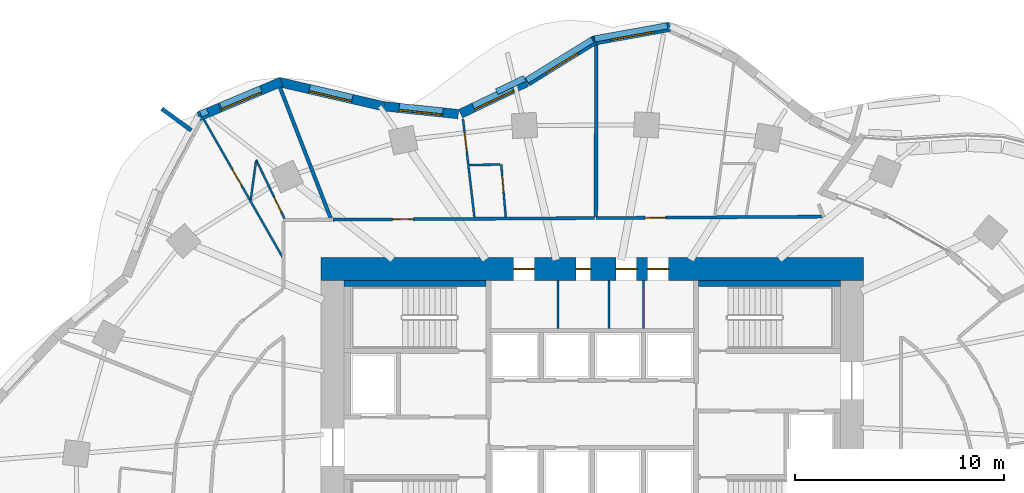
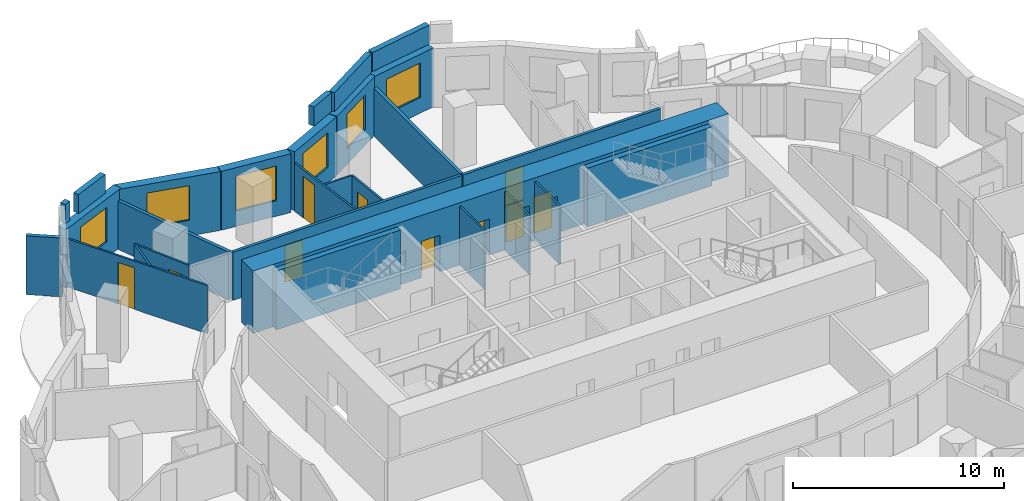
# One storey, part 10 of 14: 28 walls, 10 doors, 6 windows, 16 openings.
"""IFC4 building model written with IfcOpenShell, lengths in metres."""

from ifc_helpers import new_model, si_unit, direction, frame, frame_2d, origin, place, context, subcontext, project, spatial, rectangle, extrude, material, layer, layer_set, type_object, element, fill, save


model = new_model("IFC4")

# Units and contexts
model_context = context("Model", 3, precision=1e-05, world=origin(), true_north=direction((0.0, 1.0)))
body_context = subcontext(model_context, "Body", "Model", "MODEL_VIEW")
ifc_project = project(units=[si_unit("LENGTHUNIT", "METRE"), si_unit("AREAUNIT", "SQUARE_METRE"), si_unit("VOLUMEUNIT", "CUBIC_METRE"), si_unit("PLANEANGLEUNIT", "RADIAN"), si_unit("MASSUNIT", "GRAM", prefix="KILO")], contexts=[model_context])

# Site, building, storey
site_placement = place(None, origin())
site = spatial("IfcSite", under=ifc_project, at=site_placement, CompositionType="ELEMENT")
building_placement = place(site_placement, origin())
building = spatial("IfcBuilding", under=site, at=building_placement, Name="Rubra Terraces Tower", CompositionType="ELEMENT")
storey_placement = place(building_placement, frame((0.0, 0.0, 103.199951171875)))
storey = spatial("IfcBuildingStorey", under=building, at=storey_placement, Name="L24", CompositionType="ELEMENT", Elevation=103.199951171875)

# Walls
ifc_material_1 = material(Name="Twin plasterboard on staggered steel stud, acoustic mineral wool", Category="steel")
ifc_layer_1 = layer(ifc_material_1, 0.175048828125)
ifc_layer_set_1 = layer_set([ifc_layer_1], Name="Twin plasterboard on staggered steel stud, acoustic mineral wool")
wall_type_1 = type_object("IfcWallType", Name="ACOUSTIC PARTY WALL 175", PredefinedType="PARTITIONING", material=ifc_layer_set_1)
wall_1_placement = place(storey_placement, frame((-14.975830078125, 20.15283203125, 0.0), z_axis=(0.0, 0.0, 1.0), x_axis=(0.361736544099, -0.932280361621, 0.0)))
element("IfcWall", 1, at=wall_1_placement, inside=storey, type_object=wall_type_1, Name="PARTITION", PredefinedType="PARTITIONING", context=body_context, shape_type="SweptSolid", body=[
    extrude(rectangle(XDim=6.72412109375, YDim=0.175048828125, at=frame_2d((3.362060546875, 0.0))), origin(), (0.0, 0.0, 1.0), 2.783935546875),
])
wall_2_placement = place(storey_placement, frame((0.189208984375, 22.189697265625, 0.0), z_axis=(0.0, 0.0, 1.0), x_axis=(-0.00195984895, -0.999998079494, 0.0)))
element("IfcWall", 2, at=wall_2_placement, inside=storey, type_object=wall_type_1, Name="PARTITION", PredefinedType="PARTITIONING", context=body_context, shape_type="SweptSolid", body=[
    extrude(rectangle(XDim=8.2216796875, YDim=0.175048828125, at=frame_2d((4.11083984375, 0.0))), origin(), (0.0, 0.0, 1.0), 2.783935546875),
])

# Wall, opening, window
ifc_material_2 = material(Name="Brick masonry red-brown", Category="masonry")
ifc_layer_2 = layer(ifc_material_2, 0.449951171875)
ifc_layer_set_2 = layer_set([ifc_layer_2], Name="Brick masonry red-brown")
wall_type_2 = type_object("IfcWallType", Name="Brick facade wall 450", PredefinedType="SOLIDWALL", material=ifc_layer_set_2)
wall_3_placement = place(storey_placement, frame((3.726806640625, 23.060546875, 0.0), z_axis=(0.0, 0.0, 1.0), x_axis=(-0.984119180424, -0.177508982087, 0.0)))
wall_3 = element("IfcWall", 3, at=wall_3_placement, inside=storey, type_object=wall_type_2, Name="Facade wall L24 bay 10", PredefinedType="SOLIDWALL", context=body_context, shape_type="SweptSolid", body=[
    extrude(rectangle(XDim=3.74658203125, YDim=0.449951171875, at=frame_2d((1.873291015625, 0.0))), origin(), (0.0, 0.0, 1.0), 3.400146484375),
])
opening_1_placement = place(wall_3_placement, frame((0.8232421875, 0.0, 0.89990234375)))
opening_1 = element("IfcOpeningElement", 4, at=opening_1_placement, cuts=wall_3, Name="Opening W1", PredefinedType="OPENING", context=body_context, shape_type="SweptSolid", body=[
    extrude(rectangle(XDim=2.10009765625, YDim=2.0, at=frame_2d((1.050048828125, 1.0))), frame((0.0, 0.23486328125, 0.0), z_axis=(0.0, -1.0, 0.0), x_axis=(1.0, 0.0, 0.0)), (0.0, 0.0, 1.0), 0.469970703125),
])
ifc_material_3 = material(Name="Clear glass in aluminium frame", Category="aluminium")
window_type_1 = type_object("IfcWindowType", Name="Fixed deep-set window 2100 x 2000", PartitioningType="SINGLE_PANEL", PredefinedType="WINDOW", material=ifc_material_3)
window_1_placement = place(opening_1_placement, origin())
window_1 = element("IfcWindow", 5, at=window_1_placement, inside=storey, type_object=window_type_1, Name="Window L24 bay 10", OverallHeight=2.0, OverallWidth=2.10009765625, PartitioningType="SINGLE_PANEL", PredefinedType="WINDOW", context=body_context, shape_type="SweptSolid", body=[
    extrude(rectangle(XDim=2.10009765625, YDim=2.0, at=frame_2d((1.050048828125, 1.0))), frame((0.0, 0.135009765625, 0.0), z_axis=(0.0, -1.0, 0.0), x_axis=(1.0, 0.0, 0.0)), (0.0, 0.0, 1.0), 0.06005859375),
])
fill(opening_1, window_1)

wall_4_placement = place(storey_placement, frame((0.114990234375, 22.423583984375, 0.0), z_axis=(0.0, 0.0, 1.0), x_axis=(-0.8506970368, -0.525656305564, 0.0)))
wall_4 = element("IfcWall", 6, at=wall_4_placement, inside=storey, type_object=wall_type_2, Name="Facade wall L24 bay 11", PredefinedType="SOLIDWALL", context=body_context, shape_type="SweptSolid", body=[
    extrude(rectangle(XDim=3.81640625, YDim=0.449951171875, at=frame_2d((1.908203125, 0.0))), origin(), (0.0, 0.0, 1.0), 3.400146484375),
])
opening_2_placement = place(wall_4_placement, frame((1.00830078125, 0.0, 0.89990234375)))
opening_2 = element("IfcOpeningElement", 7, at=opening_2_placement, cuts=wall_4, Name="Opening W6", PredefinedType="OPENING", context=body_context, shape_type="SweptSolid", body=[
    extrude(rectangle(XDim=1.800048828125, YDim=2.0, at=frame_2d((0.89990234375, 1.0))), frame((0.0, 0.23486328125, 0.0), z_axis=(0.0, -1.0, 0.0), x_axis=(1.0, 0.0, 0.0)), (0.0, 0.0, 1.0), 0.469970703125),
])
window_type_2 = type_object("IfcWindowType", Name="Fixed deep-set window at wind fin 1800 x 2000", PartitioningType="SINGLE_PANEL", PredefinedType="WINDOW", material=ifc_material_3)
window_2_placement = place(opening_2_placement, origin())
window_2 = element("IfcWindow", 8, at=window_2_placement, inside=storey, type_object=window_type_2, Name="Window L24 bay 11", OverallHeight=2.0, OverallWidth=1.800048828125, PartitioningType="SINGLE_PANEL", PredefinedType="WINDOW", context=body_context, shape_type="SweptSolid", body=[
    extrude(rectangle(XDim=1.800048828125, YDim=2.0, at=frame_2d((0.89990234375, 1.0))), frame((0.0, 0.135009765625, 0.0), z_axis=(0.0, -1.0, 0.0), x_axis=(1.0, 0.0, 0.0)), (0.0, 0.0, 1.0), 0.06005859375),
])
fill(opening_2, window_2)

wall_5_placement = place(storey_placement, frame((-3.153564453125, 20.406005859375, 0.0), z_axis=(0.0, 0.0, 1.0), x_axis=(-0.902333313, -0.431038968367, 0.0)))
wall_5 = element("IfcWall", 9, at=wall_5_placement, inside=storey, type_object=wall_type_2, Name="Facade wall L24 bay 12", PredefinedType="SOLIDWALL", context=body_context, shape_type="SweptSolid", body=[
    extrude(rectangle(XDim=3.50537109375, YDim=0.449951171875, at=frame_2d((1.752685546875, 0.0))), origin(), (0.0, 0.0, 1.0), 3.400146484375),
])
opening_3_placement = place(wall_5_placement, frame((0.702880859375, 0.0, 0.89990234375)))
opening_3 = element("IfcOpeningElement", 10, at=opening_3_placement, cuts=wall_5, Name="Opening W1", PredefinedType="OPENING", context=body_context, shape_type="SweptSolid", body=[
    extrude(rectangle(XDim=2.10009765625, YDim=2.0, at=frame_2d((1.050048828125, 1.0))), frame((0.0, 0.23486328125, 0.0), z_axis=(0.0, -1.0, 0.0), x_axis=(1.0, 0.0, 0.0)), (0.0, 0.0, 1.0), 0.469970703125),
])
window_3_placement = place(opening_3_placement, origin())
window_3 = element("IfcWindow", 11, at=window_3_placement, inside=storey, type_object=window_type_1, Name="Window L24 bay 12", OverallHeight=2.0, OverallWidth=2.10009765625, PartitioningType="SINGLE_PANEL", PredefinedType="WINDOW", context=body_context, shape_type="SweptSolid", body=[
    extrude(rectangle(XDim=2.10009765625, YDim=2.0, at=frame_2d((1.050048828125, 1.0))), frame((0.0, 0.135009765625, 0.0), z_axis=(0.0, -1.0, 0.0), x_axis=(1.0, 0.0, 0.0)), (0.0, 0.0, 1.0), 0.06005859375),
])
fill(opening_3, window_3)

wall_6_placement = place(storey_placement, frame((-6.4267578125, 18.875244140625, 0.0), z_axis=(0.0, 0.0, 1.0), x_axis=(-0.994433468803, 0.10536638992, 0.0)))
wall_6 = element("IfcWall", 12, at=wall_6_placement, inside=storey, type_object=wall_type_2, Name="Facade wall L24 bay 13", PredefinedType="SOLIDWALL", context=body_context, shape_type="SweptSolid", body=[
    extrude(rectangle(XDim=3.598388671875, YDim=0.449951171875, at=frame_2d((1.79931640625, 0.0))), origin(), (0.0, 0.0, 1.0), 3.400146484375),
])
opening_4_placement = place(wall_6_placement, frame((0.749267578125, 0.0, 0.89990234375)))
opening_4 = element("IfcOpeningElement", 13, at=opening_4_placement, cuts=wall_6, Name="Opening W1", PredefinedType="OPENING", context=body_context, shape_type="SweptSolid", body=[
    extrude(rectangle(XDim=2.10009765625, YDim=2.0, at=frame_2d((1.050048828125, 1.0))), frame((0.0, 0.23486328125, 0.0), z_axis=(0.0, -1.0, 0.0), x_axis=(1.0, 0.0, 0.0)), (0.0, 0.0, 1.0), 0.469970703125),
])
window_4_placement = place(opening_4_placement, origin())
window_4 = element("IfcWindow", 14, at=window_4_placement, inside=storey, type_object=window_type_1, Name="Window L24 bay 13", OverallHeight=2.0, OverallWidth=2.10009765625, PartitioningType="SINGLE_PANEL", PredefinedType="WINDOW", context=body_context, shape_type="SweptSolid", body=[
    extrude(rectangle(XDim=2.10009765625, YDim=2.0, at=frame_2d((1.050048828125, 1.0))), frame((0.0, 0.135009765625, 0.0), z_axis=(0.0, -1.0, 0.0), x_axis=(1.0, 0.0, 0.0)), (0.0, 0.0, 1.0), 0.06005859375),
])
fill(opening_4, window_4)

wall_7_placement = place(storey_placement, frame((-10.0341796875, 19.258544921875, 0.0), z_axis=(0.0, 0.0, 1.0), x_axis=(-0.974223567844, 0.225584662283, 0.0)))
wall_7 = element("IfcWall", 15, at=wall_7_placement, inside=storey, type_object=wall_type_2, Name="Facade wall L24 bay 14", PredefinedType="SOLIDWALL", context=body_context, shape_type="SweptSolid", body=[
    extrude(rectangle(XDim=5.138671875, YDim=0.449951171875, at=frame_2d((2.5693359375, 0.0))), origin(), (0.0, 0.0, 1.0), 3.400146484375),
])
opening_5_placement = place(wall_7_placement, frame((1.51904296875, 0.0, 0.89990234375)))
opening_5 = element("IfcOpeningElement", 16, at=opening_5_placement, cuts=wall_7, Name="Opening W1", PredefinedType="OPENING", context=body_context, shape_type="SweptSolid", body=[
    extrude(rectangle(XDim=2.10009765625, YDim=2.0, at=frame_2d((1.050048828125, 1.0))), frame((0.0, 0.23486328125, 0.0), z_axis=(0.0, -1.0, 0.0), x_axis=(1.0, 0.0, 0.0)), (0.0, 0.0, 1.0), 0.469970703125),
])
window_5_placement = place(opening_5_placement, origin())
window_5 = element("IfcWindow", 17, at=window_5_placement, inside=storey, type_object=window_type_1, Name="Window L24 bay 14", OverallHeight=2.0, OverallWidth=2.10009765625, PartitioningType="SINGLE_PANEL", PredefinedType="WINDOW", context=body_context, shape_type="SweptSolid", body=[
    extrude(rectangle(XDim=2.10009765625, YDim=2.0, at=frame_2d((1.050048828125, 1.0))), frame((0.0, 0.135009765625, 0.0), z_axis=(0.0, -1.0, 0.0), x_axis=(1.0, 0.0, 0.0)), (0.0, 0.0, 1.0), 0.06005859375),
])
fill(opening_5, window_5)

wall_8_placement = place(storey_placement, frame((-14.906494140625, 20.4306640625, 0.0), z_axis=(0.0, 0.0, 1.0), x_axis=(-0.921435803521, -0.388530642279, 0.0)))
wall_8 = element("IfcWall", 18, at=wall_8_placement, inside=storey, type_object=wall_type_2, Name="Facade wall L24 bay 15", PredefinedType="SOLIDWALL", context=body_context, shape_type="SweptSolid", body=[
    extrude(rectangle(XDim=4.308837890625, YDim=0.449951171875, at=frame_2d((2.154296875, 0.0))), origin(), (0.0, 0.0, 1.0), 3.400146484375),
])
opening_6_placement = place(wall_8_placement, frame((1.104248046875, 0.0, 0.89990234375)))
opening_6 = element("IfcOpeningElement", 19, at=opening_6_placement, cuts=wall_8, Name="Opening W1", PredefinedType="OPENING", context=body_context, shape_type="SweptSolid", body=[
    extrude(rectangle(XDim=2.10009765625, YDim=2.0, at=frame_2d((1.050048828125, 1.0))), frame((0.0, 0.23486328125, 0.0), z_axis=(0.0, -1.0, 0.0), x_axis=(1.0, 0.0, 0.0)), (0.0, 0.0, 1.0), 0.469970703125),
])
window_6_placement = place(opening_6_placement, origin())
window_6 = element("IfcWindow", 20, at=window_6_placement, inside=storey, type_object=window_type_1, Name="Window L24 bay 15", OverallHeight=2.0, OverallWidth=2.10009765625, PartitioningType="SINGLE_PANEL", PredefinedType="WINDOW", context=body_context, shape_type="SweptSolid", body=[
    extrude(rectangle(XDim=2.10009765625, YDim=2.0, at=frame_2d((1.050048828125, 1.0))), frame((0.0, 0.135009765625, 0.0), z_axis=(0.0, -1.0, 0.0), x_axis=(1.0, 0.0, 0.0)), (0.0, 0.0, 1.0), 0.06005859375),
])
fill(opening_6, window_6)

# Walls
ifc_layer_3 = layer(ifc_material_2, 0.300048828125)
ifc_layer_set_3 = layer_set([ifc_layer_3], Name="Brick masonry red-brown")
wall_type_3 = type_object("IfcWallType", Name="Brick parapet 300", PredefinedType="PARAPET", material=ifc_layer_set_3)
wall_9_placement = place(storey_placement, frame((3.58984375, 23.112060546875, 3.60009765625), z_axis=(0.0, 0.0, 1.0), x_axis=(-0.984124248147, -0.177480884064, 0.0)))
element("IfcWall", 21, at=wall_9_placement, inside=storey, type_object=wall_type_3, Name="Parapet L24 bay 10", PredefinedType="PARAPET", context=body_context, shape_type="SweptSolid", body=[
    extrude(rectangle(XDim=3.533935546875, YDim=0.300048828125, at=frame_2d((1.76708984375, 0.0))), origin(), (0.0, 0.0, 1.0), 1.099853515625),
])
wall_10_placement = place(storey_placement, frame((0.0048828125, 22.443603515625, 3.60009765625), z_axis=(0.0, 0.0, 1.0), x_axis=(-0.850710394144, -0.525634688063, 0.0)))
element("IfcWall", 22, at=wall_10_placement, inside=storey, type_object=wall_type_3, Name="Parapet L24 bay 11", PredefinedType="PARAPET", context=body_context, shape_type="SweptSolid", body=[
    extrude(rectangle(XDim=3.701904296875, YDim=0.300048828125, at=frame_2d((1.85107421875, 0.0))), origin(), (0.0, 0.0, 1.0), 1.099853515625),
])
wall_11_placement = place(storey_placement, frame((-3.2392578125, 20.594482421875, 3.60009765625), z_axis=(0.0, 0.0, 1.0), x_axis=(-0.902344893923, -0.431014724123, 0.0)))
element("IfcWall", 23, at=wall_11_placement, inside=storey, type_object=wall_type_3, Name="Parapet L24 bay 12", PredefinedType="PARAPET", context=body_context, shape_type="SweptSolid", body=[
    extrude(rectangle(XDim=1.48974609375, YDim=0.300048828125, at=frame_2d((0.744873046875, 0.0))), origin(), (0.0, 0.0, 1.0), 1.099853515625),
])
wall_12_placement = place(storey_placement, frame((-15.890869140625, 20.096923828125, 3.60009765625), z_axis=(0.0, 0.0, 1.0), x_axis=(-0.921468908678, -0.388452121038, 0.0)))
element("IfcWall", 24, at=wall_12_placement, inside=storey, type_object=wall_type_3, Name="Parapet L24 bay 15", PredefinedType="PARAPET", context=body_context, shape_type="SweptSolid", body=[
    extrude(rectangle(XDim=2.09912109375, YDim=0.300048828125, at=frame_2d((1.049560546875, 0.0))), origin(), (0.0, 0.0, 1.0), 1.099853515625),
])
wall_13_placement = place(storey_placement, frame((-18.4462890625, 19.01953125, 3.60009765625), z_axis=(0.0, 0.0, 1.0), x_axis=(-0.921356634102, -0.388718346358, 0.0)))
element("IfcWall", 25, at=wall_13_placement, inside=storey, type_object=wall_type_3, Name="Parapet L24 bay 15.2", PredefinedType="PARAPET", context=body_context, shape_type="SweptSolid", body=[
    extrude(rectangle(XDim=0.363037109375, YDim=0.300048828125, at=frame_2d((0.181640625, 0.0))), origin(), (0.0, 0.0, 1.0), 1.099853515625),
])
ifc_layer_4 = layer(ifc_material_2, 0.199951171875)
ifc_layer_set_4 = layer_set([ifc_layer_4], Name="Brick masonry red-brown")
wall_type_4 = type_object("IfcWallType", Name="Brick wind fin 200", PredefinedType="SOLIDWALL", material=ifc_layer_set_4)
wall_14_placement = place(storey_placement, frame((-19.23095703125, 18.09912109375, 0.0), z_axis=(0.0, 0.0, 1.0), x_axis=(-0.806085538754, 0.591799040394, 0.0)))
element("IfcWall", 26, at=wall_14_placement, inside=storey, type_object=wall_type_4, Name="Wind fin L24 5", PredefinedType="SOLIDWALL", context=body_context, shape_type="SweptSolid", body=[
    extrude(rectangle(XDim=1.75, YDim=0.199951171875, at=frame_2d((0.875, 0.0))), origin(), (0.0, 0.0, 1.0), 3.400146484375),
])

# Wall, openings, doors
ifc_material_4 = material(Name="Concrete C60", Category="concrete")
ifc_layer_5 = layer(ifc_material_4, 1.10009765625)
ifc_layer_set_5 = layer_set([ifc_layer_5], Name="Concrete C60")
wall_type_5 = type_object("IfcWallType", Name="CORE WALL 1100 C60", PredefinedType="SHEAR", material=ifc_layer_set_5)
wall_15_placement = place(storey_placement, frame((-13.0, 11.449951171875, 0.0), z_axis=(0.0, 0.0, 1.0), x_axis=(1.0, 0.0, 0.0)))
wall_15 = element("IfcWall", 27, at=wall_15_placement, inside=storey, type_object=wall_type_5, Name="CORE WALL N L24", PredefinedType="SHEAR", context=body_context, shape_type="SweptSolid", body=[
    extrude(rectangle(XDim=26.0, YDim=1.10009765625, at=frame_2d((13.0, 0.0))), origin(), (0.0, 0.0, 1.0), 3.60009765625),
])
opening_7_placement = place(wall_15_placement, frame((9.22509765625, 0.0, 0.0)))
opening_7 = element("IfcOpeningElement", 28, at=opening_7_placement, cuts=wall_15, Name="Opening L24.C23", PredefinedType="OPENING", context=body_context, shape_type="SweptSolid", body=[
    extrude(rectangle(XDim=1.0, YDim=2.10009765625, at=frame_2d((0.5, 1.050048828125))), frame((0.0, 0.56005859375, 0.0), z_axis=(0.0, -1.0, 0.0), x_axis=(1.0, 0.0, 0.0)), (0.0, 0.0, 1.0), 1.1201171875),
])
opening_8_placement = place(wall_15_placement, frame((12.22509765625, 0.0, 0.0)))
opening_8 = element("IfcOpeningElement", 29, at=opening_8_placement, cuts=wall_15, Name="Opening L24.C24", PredefinedType="OPENING", context=body_context, shape_type="SweptSolid", body=[
    extrude(rectangle(XDim=0.699951171875, YDim=2.10009765625, at=frame_2d((0.35009765625, 1.050048828125))), frame((0.0, 0.56005859375, 0.0), z_axis=(0.0, -1.0, 0.0), x_axis=(1.0, 0.0, 0.0)), (0.0, 0.0, 1.0), 1.1201171875),
])
opening_9_placement = place(wall_15_placement, frame((14.125, 0.0, 0.0)))
opening_9 = element("IfcOpeningElement", 30, at=opening_9_placement, cuts=wall_15, Name="Opening L24.C25", PredefinedType="OPENING", context=body_context, shape_type="SweptSolid", body=[
    extrude(rectangle(XDim=1.0, YDim=2.10009765625, at=frame_2d((0.5, 1.050048828125))), frame((0.0, 0.56005859375, 0.0), z_axis=(0.0, -1.0, 0.0), x_axis=(1.0, 0.0, 0.0)), (0.0, 0.0, 1.0), 1.1201171875),
])
opening_10_placement = place(wall_15_placement, frame((15.64990234375, 0.0, 0.0)))
opening_10 = element("IfcOpeningElement", 31, at=opening_10_placement, cuts=wall_15, Name="Opening L24.C26", PredefinedType="OPENING", context=body_context, shape_type="SweptSolid", body=[
    extrude(rectangle(XDim=1.0, YDim=2.10009765625, at=frame_2d((0.5, 1.050048828125))), frame((0.0, 0.56005859375, 0.0), z_axis=(0.0, -1.0, 0.0), x_axis=(1.0, 0.0, 0.0)), (0.0, 0.0, 1.0), 1.1201171875),
])
ifc_material_5 = material(Name="Painted steel", Category="steel")
door_type_1 = type_object("IfcDoorType", Name="Fire door 1000x2100 single", OperationType="NOTDEFINED", PredefinedType="DOOR", material=ifc_material_5)
door_1_placement = place(opening_7_placement, origin())
door_1 = element("IfcDoor", 32, at=door_1_placement, inside=storey, type_object=door_type_1, Name="Ice and vending room door", OperationType="SINGLE_SWING_LEFT", OverallHeight=2.10009765625, OverallWidth=1.0, PredefinedType="DOOR", context=body_context, shape_type="SweptSolid", body=[
    extrude(rectangle(XDim=1.0, YDim=2.10009765625, at=frame_2d((0.5, 1.050048828125))), frame((0.0, 0.02490234375, 0.0), z_axis=(0.0, -1.0, 0.0), x_axis=(1.0, 0.0, 0.0)), (0.0, 0.0, 1.0), 0.050048828125),
])
fill(opening_7, door_1)
door_2_placement = place(opening_9_placement, origin())
door_2 = element("IfcDoor", 33, at=door_2_placement, inside=storey, type_object=door_type_1, Name="Accessible WC door", OperationType="SINGLE_SWING_LEFT", OverallHeight=2.10009765625, OverallWidth=1.0, PredefinedType="DOOR", context=body_context, shape_type="SweptSolid", body=[
    extrude(rectangle(XDim=1.0, YDim=2.10009765625, at=frame_2d((0.5, 1.050048828125))), frame((0.0, 0.02490234375, 0.0), z_axis=(0.0, -1.0, 0.0), x_axis=(1.0, 0.0, 0.0)), (0.0, 0.0, 1.0), 0.050048828125),
])
fill(opening_9, door_2)
door_3_placement = place(opening_10_placement, origin())
door_3 = element("IfcDoor", 34, at=door_3_placement, inside=storey, type_object=door_type_1, Name="Refuse room door", OperationType="SINGLE_SWING_RIGHT", OverallHeight=2.10009765625, OverallWidth=1.0, PredefinedType="DOOR", context=body_context, shape_type="SweptSolid", body=[
    extrude(rectangle(XDim=1.0, YDim=2.10009765625, at=frame_2d((0.5, 1.050048828125))), frame((0.0, 0.02490234375, 0.0), z_axis=(0.0, -1.0, 0.0), x_axis=(1.0, 0.0, 0.0)), (0.0, 0.0, 1.0), 0.050048828125),
])
fill(opening_10, door_3)
door_type_2 = type_object("IfcDoorType", Name="Riser access door 700x2100 single", OperationType="NOTDEFINED", PredefinedType="DOOR", material=ifc_material_5)
door_4_placement = place(opening_8_placement, origin())
door_4 = element("IfcDoor", 35, at=door_4_placement, inside=storey, type_object=door_type_2, Name="Telecoms room door", OperationType="SINGLE_SWING_RIGHT", OverallHeight=2.10009765625, OverallWidth=0.699951171875, PredefinedType="DOOR", context=body_context, shape_type="SweptSolid", body=[
    extrude(rectangle(XDim=0.699951171875, YDim=2.10009765625, at=frame_2d((0.35009765625, 1.050048828125))), frame((0.0, 0.02490234375, 0.0), z_axis=(0.0, -1.0, 0.0), x_axis=(1.0, 0.0, 0.0)), (0.0, 0.0, 1.0), 0.050048828125),
])
fill(opening_8, door_4)

# Wall, opening, door
ifc_material_6 = material(Name="Plasterboard on steel stud, mineral wool infill", Category="steel")
ifc_layer_6 = layer(ifc_material_6, 0.14990234375)
ifc_layer_set_6 = layer_set([ifc_layer_6], Name="Plasterboard on steel stud, mineral wool infill")
wall_type_6 = type_object("IfcWallType", Name="CORRIDOR PARTITION 150", PredefinedType="PARTITIONING", material=ifc_layer_set_6)
wall_16_placement = place(storey_placement, frame((11.0087890625, 13.96044921875, 0.0), z_axis=(0.0, 0.0, 1.0), x_axis=(-0.999980665956, -0.006218336874, 0.0)))
wall_16 = element("IfcWall", 36, at=wall_16_placement, inside=storey, type_object=wall_type_6, Name="PARTITION", PredefinedType="PARTITIONING", context=body_context, shape_type="SweptSolid", body=[
    extrude(rectangle(XDim=10.836181640625, YDim=0.14990234375, at=frame_2d((5.41796875, 0.0))), origin(), (0.0, 0.0, 1.0), 2.783935546875),
])
opening_11_placement = place(wall_16_placement, frame((7.490966796875, 0.0, 0.0)))
opening_11 = element("IfcOpeningElement", 37, at=opening_11_placement, cuts=wall_16, Name="Opening 24-126", PredefinedType="OPENING", context=body_context, shape_type="SweptSolid", body=[
    extrude(rectangle(XDim=1.0, YDim=2.10009765625, at=frame_2d((0.5, 1.050048828125))), frame((0.0, 0.0849609375, 0.0), z_axis=(0.0, -1.0, 0.0), x_axis=(1.0, 0.0, 0.0)), (0.0, 0.0, 1.0), 0.169921875),
])
ifc_material_7 = material(Name="Painted timber door leaf", Category="wood")
door_type_3 = type_object("IfcDoorType", Name="ROOM DOOR 1000 X 2100", OperationType="SINGLE_SWING_LEFT", PredefinedType="DOOR", material=ifc_material_7)
door_5_placement = place(opening_11_placement, origin())
door_5 = element("IfcDoor", 38, at=door_5_placement, inside=storey, type_object=door_type_3, Name="DOOR 24-126", OperationType="SINGLE_SWING_RIGHT", OverallHeight=2.10009765625, OverallWidth=1.0, PredefinedType="DOOR", context=body_context, shape_type="SweptSolid", body=[
    extrude(rectangle(XDim=1.0, YDim=2.10009765625, at=frame_2d((0.5, 1.050048828125))), frame((0.0, 0.02490234375, 0.0), z_axis=(0.0, -1.0, 0.0), x_axis=(1.0, 0.0, 0.0)), (0.0, 0.0, 1.0), 0.050048828125),
])
fill(opening_11, door_5)

wall_17_placement = place(storey_placement, frame((0.097900390625, 13.892578125, 0.0), z_axis=(0.0, 0.0, 1.0), x_axis=(-0.999980712681, -0.006210818468, 0.0)))
wall_17 = element("IfcWall", 39, at=wall_17_placement, inside=storey, type_object=wall_type_6, Name="PARTITION", PredefinedType="PARTITIONING", context=body_context, shape_type="SweptSolid", body=[
    extrude(rectangle(XDim=12.53955078125, YDim=0.14990234375, at=frame_2d((6.269775390625, 0.0))), origin(), (0.0, 0.0, 1.0), 2.783935546875),
])
opening_12_placement = place(wall_17_placement, frame((8.677978515625, 0.0, 0.0)))
opening_12 = element("IfcOpeningElement", 40, at=opening_12_placement, cuts=wall_17, Name="Opening 24-129", PredefinedType="OPENING", context=body_context, shape_type="SweptSolid", body=[
    extrude(rectangle(XDim=1.0, YDim=2.10009765625, at=frame_2d((0.5, 1.050048828125))), frame((0.0, 0.0849609375, 0.0), z_axis=(0.0, -1.0, 0.0), x_axis=(1.0, 0.0, 0.0)), (0.0, 0.0, 1.0), 0.169921875),
])
door_6_placement = place(opening_12_placement, origin())
door_6 = element("IfcDoor", 41, at=door_6_placement, inside=storey, type_object=door_type_3, Name="DOOR 24-129", OperationType="SINGLE_SWING_RIGHT", OverallHeight=2.10009765625, OverallWidth=1.0, PredefinedType="DOOR", context=body_context, shape_type="SweptSolid", body=[
    extrude(rectangle(XDim=1.0, YDim=2.10009765625, at=frame_2d((0.5, 1.050048828125))), frame((0.0, 0.02490234375, 0.0), z_axis=(0.0, -1.0, 0.0), x_axis=(1.0, 0.0, 0.0)), (0.0, 0.0, 1.0), 0.050048828125),
])
fill(opening_12, door_6)

# Walls
ifc_material_8 = material(Name="Concrete C40", Category="concrete")
ifc_layer_7 = layer(ifc_material_8, 0.300048828125)
ifc_layer_set_7 = layer_set([ifc_layer_7], Name="Concrete C40")
wall_type_7 = type_object("IfcWallType", Name="Core lining wall 300 concrete", PredefinedType="SOLIDWALL", material=ifc_layer_set_7)
for number, where, z_axis, x_axis, name in (
    (42, (-11.89990234375, 10.75, 0.0), (0.0, 0.0, 1.0), (1.0, 0.0, 0.0), "CORE LINING WALL L24"),
    (43, (11.89990234375, 10.75, 0.0), (0.0, 0.0, 1.0), (-1.0, 0.0, 0.0), "CORE LINING WALL L24"),
):
    element("IfcWall", number, at=place(storey_placement, frame(where, z_axis=z_axis, x_axis=x_axis)), inside=storey, type_object=wall_type_7, Name=name, PredefinedType="SOLIDWALL", context=body_context, shape_type="SweptSolid", body=[
        extrude(rectangle(XDim=6.7998046875, YDim=0.300048828125, at=frame_2d((3.39990234375, 0.0))), origin(), (0.0, 0.0, 1.0), 3.400146484375),
    ])

# Wall, opening, door
ifc_material_9 = material(Name="Plasterboard on steel stud", Category="steel")
ifc_layer_8 = layer(ifc_material_9, 0.10009765625)
ifc_layer_set_8 = layer_set([ifc_layer_8], Name="Plasterboard on steel stud")
wall_type_8 = type_object("IfcWallType", Name="ROOM PARTITION 100", PredefinedType="PARTITIONING", material=ifc_layer_set_8)
wall_18_placement = place(storey_placement, frame((-18.622314453125, 18.615478515625, 0.0), z_axis=(0.0, 0.0, 1.0), x_axis=(0.495932236656, -0.868361224748, 0.0)))
wall_18 = element("IfcWall", 44, at=wall_18_placement, inside=storey, type_object=wall_type_8, Name="PARTITION", PredefinedType="PARTITIONING", context=body_context, shape_type="SweptSolid", body=[
    extrude(rectangle(XDim=7.63232421875, YDim=0.10009765625, at=frame_2d((3.816162109375, 0.0))), origin(), (0.0, 0.0, 1.0), 2.783935546875),
])
opening_13_placement = place(wall_18_placement, frame((2.75, 0.0, 0.0)))
opening_13 = element("IfcOpeningElement", 45, at=opening_13_placement, cuts=wall_18, Name="Opening 24-102", PredefinedType="OPENING", context=body_context, shape_type="SweptSolid", body=[
    extrude(rectangle(XDim=0.89990234375, YDim=2.39990234375, at=frame_2d((0.449951171875, 1.199951171875))), frame((0.0, 0.06005859375, 0.0), z_axis=(0.0, -1.0, 0.0), x_axis=(1.0, 0.0, 0.0)), (0.0, 0.0, 1.0), 0.1201171875),
])
ifc_material_10 = material(Name="Veneered timber door leaf, fire-rated", Category="wood")
door_type_4 = type_object("IfcDoorType", Name="SUITE ENTRANCE DOOR 900 X 2400", OperationType="SINGLE_SWING_LEFT", PredefinedType="DOOR", material=ifc_material_10)
door_7_placement = place(opening_13_placement, origin())
door_7 = element("IfcDoor", 46, at=door_7_placement, inside=storey, type_object=door_type_4, Name="DOOR 24-102", OperationType="SINGLE_SWING_LEFT", OverallHeight=2.39990234375, OverallWidth=0.89990234375, PredefinedType="DOOR", context=body_context, shape_type="SweptSolid", body=[
    extrude(rectangle(XDim=0.89990234375, YDim=2.39990234375, at=frame_2d((0.449951171875, 1.199951171875))), frame((0.0, 0.02490234375, 0.0), z_axis=(0.0, -1.0, 0.0), x_axis=(1.0, 0.0, 0.0)), (0.0, 0.0, 1.0), 0.050048828125),
])
fill(opening_13, door_7)

wall_19_placement = place(storey_placement, frame((-14.760009765625, 13.8681640625, 0.0), z_axis=(0.0, 0.0, 1.0), x_axis=(-0.434165602695, 0.900833075234, 0.0)))
wall_19 = element("IfcWall", 47, at=wall_19_placement, inside=storey, type_object=wall_type_8, Name="PARTITION", PredefinedType="PARTITIONING", context=body_context, shape_type="SweptSolid", body=[
    extrude(rectangle(XDim=3.124755859375, YDim=0.10009765625, at=frame_2d((1.5625, 0.0))), origin(), (0.0, 0.0, 1.0), 2.783935546875),
])
opening_14_placement = place(wall_19_placement, frame((0.35009765625, 0.0, 0.0)))
opening_14 = element("IfcOpeningElement", 48, at=opening_14_placement, cuts=wall_19, Name="Opening 24-101", PredefinedType="OPENING", context=body_context, shape_type="SweptSolid", body=[
    extrude(rectangle(XDim=0.800048828125, YDim=2.10009765625, at=frame_2d((0.39990234375, 1.050048828125))), frame((0.0, 0.06005859375, 0.0), z_axis=(0.0, -1.0, 0.0), x_axis=(1.0, 0.0, 0.0)), (0.0, 0.0, 1.0), 0.1201171875),
])
door_type_5 = type_object("IfcDoorType", Name="BATHROOM DOOR 800 X 2100", OperationType="SINGLE_SWING_LEFT", PredefinedType="DOOR", material=ifc_material_7)
door_8_placement = place(opening_14_placement, origin())
door_8 = element("IfcDoor", 49, at=door_8_placement, inside=storey, type_object=door_type_5, Name="DOOR 24-101", OperationType="SINGLE_SWING_LEFT", OverallHeight=2.10009765625, OverallWidth=0.800048828125, PredefinedType="DOOR", context=body_context, shape_type="SweptSolid", body=[
    extrude(rectangle(XDim=0.800048828125, YDim=2.10009765625, at=frame_2d((0.39990234375, 1.050048828125))), frame((0.0, 0.02490234375, 0.0), z_axis=(0.0, -1.0, 0.0), x_axis=(1.0, 0.0, 0.0)), (0.0, 0.0, 1.0), 0.050048828125),
])
fill(opening_14, door_8)

# Wall
wall_20_placement = place(storey_placement, frame((-16.12353515625, 16.633544921875, 0.0), z_axis=(0.0, 0.0, 1.0), x_axis=(-0.135050128955, -0.990838767242, 0.0)))
element("IfcWall", 50, at=wall_20_placement, inside=storey, type_object=wall_type_8, Name="PARTITION", PredefinedType="PARTITIONING", context=body_context, shape_type="SweptSolid", body=[
    extrude(rectangle(XDim=1.89990234375, YDim=0.10009765625, at=frame_2d((0.949951171875, 0.0))), origin(), (0.0, 0.0, 1.0), 2.783935546875),
])

# Wall, opening, door
wall_21_placement = place(storey_placement, frame((-6.199462890625, 18.641845703125, 0.0), z_axis=(0.0, 0.0, 1.0), x_axis=(0.115374456255, -0.993322070048, 0.0)))
wall_21 = element("IfcWall", 51, at=wall_21_placement, inside=storey, type_object=wall_type_8, Name="PARTITION", PredefinedType="PARTITIONING", context=body_context, shape_type="SweptSolid", body=[
    extrude(rectangle(XDim=4.7421875, YDim=0.10009765625, at=frame_2d((2.37109375, 0.0))), origin(), (0.0, 0.0, 1.0), 2.783935546875),
])
opening_15_placement = place(wall_21_placement, frame((0.6669921875, 0.0, 0.0)))
opening_15 = element("IfcOpeningElement", 52, at=opening_15_placement, cuts=wall_21, Name="Opening 24-128", PredefinedType="OPENING", context=body_context, shape_type="SweptSolid", body=[
    extrude(rectangle(XDim=0.89990234375, YDim=2.39990234375, at=frame_2d((0.449951171875, 1.199951171875))), frame((0.0, 0.06005859375, 0.0), z_axis=(0.0, -1.0, 0.0), x_axis=(1.0, 0.0, 0.0)), (0.0, 0.0, 1.0), 0.1201171875),
])
door_9_placement = place(opening_15_placement, origin())
door_9 = element("IfcDoor", 53, at=door_9_placement, inside=storey, type_object=door_type_4, Name="DOOR 24-128", OperationType="SINGLE_SWING_LEFT", OverallHeight=2.39990234375, OverallWidth=0.89990234375, PredefinedType="DOOR", context=body_context, shape_type="SweptSolid", body=[
    extrude(rectangle(XDim=0.89990234375, YDim=2.39990234375, at=frame_2d((0.449951171875, 1.199951171875))), frame((0.0, 0.02490234375, 0.0), z_axis=(0.0, -1.0, 0.0), x_axis=(1.0, 0.0, 0.0)), (0.0, 0.0, 1.0), 0.050048828125),
])
fill(opening_15, door_9)

wall_22_placement = place(storey_placement, frame((-4.14990234375, 13.94091796875, 0.0), z_axis=(0.0, 0.0, 1.0), x_axis=(-0.085277735772, 0.996357218964, 0.0)))
wall_22 = element("IfcWall", 54, at=wall_22_placement, inside=storey, type_object=wall_type_8, Name="PARTITION", PredefinedType="PARTITIONING", context=body_context, shape_type="SweptSolid", body=[
    extrude(rectangle(XDim=2.525146484375, YDim=0.10009765625, at=frame_2d((1.2626953125, 0.0))), origin(), (0.0, 0.0, 1.0), 2.783935546875),
])
opening_16_placement = place(wall_22_placement, frame((1.199951171875, 0.0, 0.0)))
opening_16 = element("IfcOpeningElement", 55, at=opening_16_placement, cuts=wall_22, Name="Opening 24-127", PredefinedType="OPENING", context=body_context, shape_type="SweptSolid", body=[
    extrude(rectangle(XDim=0.800048828125, YDim=2.10009765625, at=frame_2d((0.39990234375, 1.050048828125))), frame((0.0, 0.06005859375, 0.0), z_axis=(0.0, -1.0, 0.0), x_axis=(1.0, 0.0, 0.0)), (0.0, 0.0, 1.0), 0.1201171875),
])
door_10_placement = place(opening_16_placement, origin())
door_10 = element("IfcDoor", 56, at=door_10_placement, inside=storey, type_object=door_type_5, Name="DOOR 24-127", OperationType="SINGLE_SWING_LEFT", OverallHeight=2.10009765625, OverallWidth=0.800048828125, PredefinedType="DOOR", context=body_context, shape_type="SweptSolid", body=[
    extrude(rectangle(XDim=0.800048828125, YDim=2.10009765625, at=frame_2d((0.39990234375, 1.050048828125))), frame((0.0, 0.02490234375, 0.0), z_axis=(0.0, -1.0, 0.0), x_axis=(1.0, 0.0, 0.0)), (0.0, 0.0, 1.0), 0.050048828125),
])
fill(opening_16, door_10)

# Walls
wall_23_placement = place(storey_placement, frame((-4.415283203125, 16.456298828125, 0.0), z_axis=(0.0, 0.0, 1.0), x_axis=(-0.999938785905, -0.011064557994, 0.0)))
element("IfcWall", 57, at=wall_23_placement, inside=storey, type_object=wall_type_8, Name="PARTITION", PredefinedType="PARTITIONING", context=body_context, shape_type="SweptSolid", body=[
    extrude(rectangle(XDim=1.478271484375, YDim=0.10009765625, at=frame_2d((0.7392578125, 0.0))), origin(), (0.0, 0.0, 1.0), 2.783935546875),
])
ifc_material_11 = material(Name="Blockwork", Category="masonry")
ifc_layer_9 = layer(ifc_material_11, 0.10009765625)
ifc_layer_set_9 = layer_set([ifc_layer_9], Name="Blockwork")
wall_type_9 = type_object("IfcWallType", Name="Service partition 100 blockwork", PredefinedType="PARTITIONING", material=ifc_layer_set_9)
for number, where, z_axis, x_axis, name in (
    (58, (-1.64990234375, 8.60009765625, 0.0), (0.0, 0.0, 1.0), (0.0, 1.0, 0.0), "SERVICE ROOM PARTITION L24"),
    (59, (0.800048828125, 8.60009765625, 0.0), (0.0, 0.0, 1.0), (0.0, 1.0, 0.0), "SERVICE ROOM PARTITION L24"),
    (60, (2.449951171875, 8.60009765625, 0.0), (0.0, 0.0, 1.0), (0.0, 1.0, 0.0), "SERVICE ROOM PARTITION L24"),
):
    element("IfcWall", number, at=place(storey_placement, frame(where, z_axis=z_axis, x_axis=x_axis)), inside=storey, type_object=wall_type_9, Name=name, PredefinedType="PARTITIONING", context=body_context, shape_type="SweptSolid", body=[
        extrude(rectangle(XDim=2.2998046875, YDim=0.10009765625, at=frame_2d((1.14990234375, 0.0))), origin(), (0.0, 0.0, 1.0), 3.400146484375),
    ])

save(model, "model.ifc")
